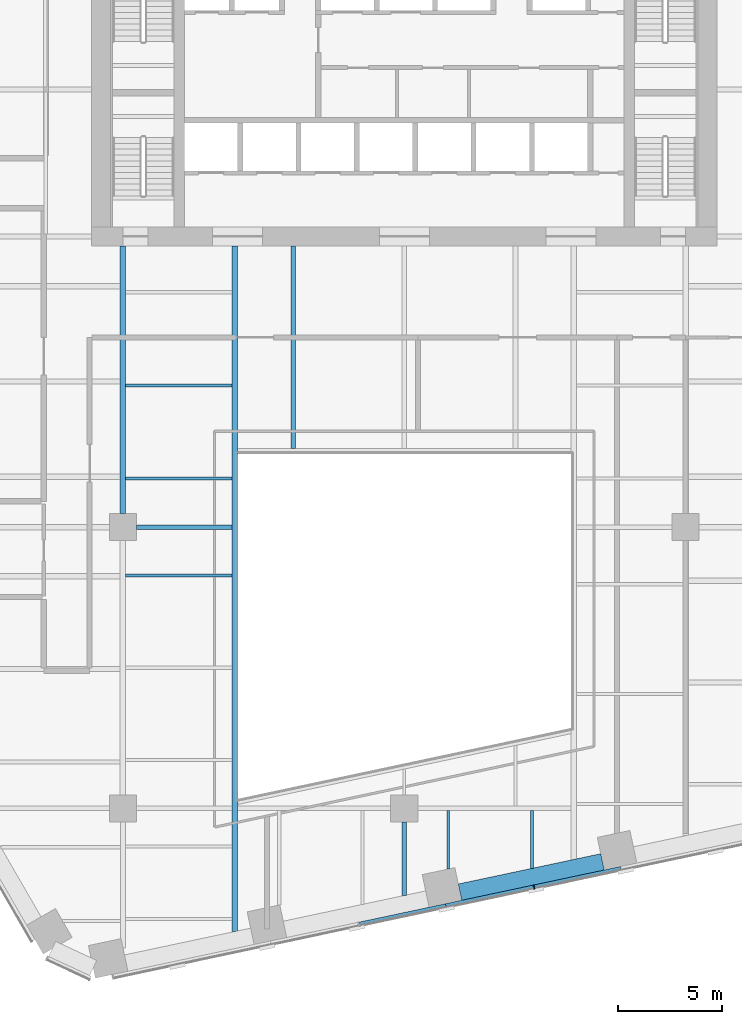
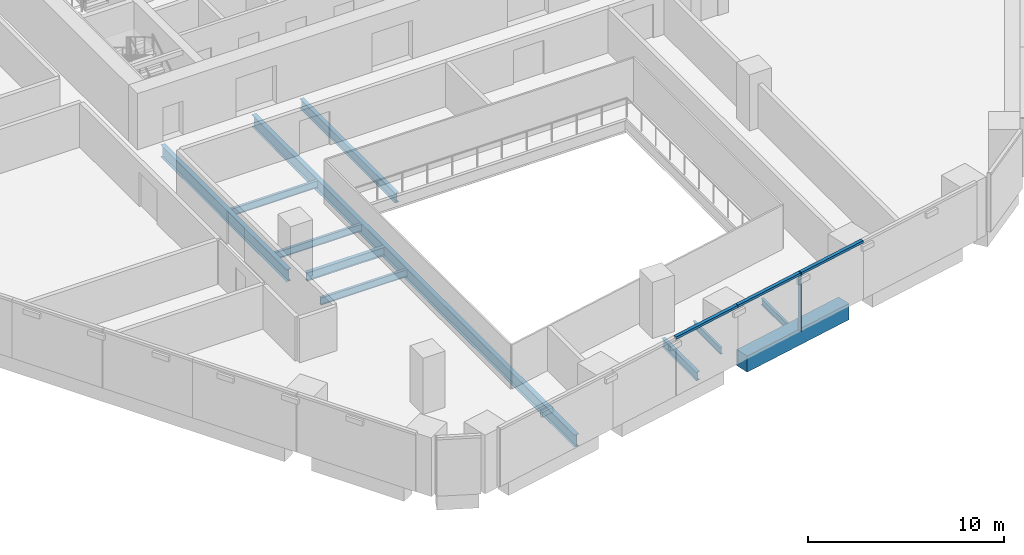
# One storey, part 4 of 21: 11 beams, 4 members, 1 element without a shape of its own.
"""IFC4 building model written with IfcOpenShell, lengths in metres."""

from ifc_helpers import new_model, si_unit, direction, frame, origin, origin_2d, place, context, subcontext, project, spatial, rectangle, i_section, extrude, material, layer, layer_set, material_profile, profile_set, type_object, element, aggregate, save


model = new_model("IFC4")

# Units and contexts
model_context = context("Model", 3, precision=1e-05, world=origin(), true_north=direction((0.0, 1.0)))
body_context = subcontext(model_context, "Body", "Model", "MODEL_VIEW")
ifc_project = project(units=[si_unit("LENGTHUNIT", "METRE"), si_unit("AREAUNIT", "SQUARE_METRE"), si_unit("VOLUMEUNIT", "CUBIC_METRE"), si_unit("PLANEANGLEUNIT", "RADIAN"), si_unit("MASSUNIT", "GRAM", prefix="KILO")], contexts=[model_context])

# Site, building, storey
site_placement = place(None, origin())
site = spatial("IfcSite", under=ifc_project, at=site_placement, CompositionType="ELEMENT")
building_placement = place(site_placement, origin())
building = spatial("IfcBuilding", under=site, at=building_placement, Name="Isthmus Gate Tower", CompositionType="ELEMENT")
storey_placement = place(building_placement, frame((0.0, 0.0, 109.85009765625)))
storey = spatial("IfcBuildingStorey", under=building, at=storey_placement, Name="L26", CompositionType="ELEMENT", Elevation=109.85009765625)

# Curtain wall, members
ifc_material_1 = material(Name="Aluminium, pale champagne anodised", Category="aluminium")
ifc_layer = layer(ifc_material_1, 0.199951171875)
ifc_layer_set = layer_set([ifc_layer], Name="CW-1 UNITISED CURTAIN WALL 200 DEEP")
curtain_wall_type = type_object("IfcCurtainWallType", Name="CW-1 UNITISED CURTAIN WALL 200 DEEP", PredefinedType="NOTDEFINED", material=ifc_layer_set)
curtain_wall_placement = place(storey_placement, origin())
curtain_wall = element("IfcCurtainWall", 1, at=curtain_wall_placement, inside=storey, type_object=curtain_wall_type, Name="CW-1 S L26", PredefinedType="NOTDEFINED")
ifc_material_2 = material(Name="Aluminium, pale champagne anodised", Category="aluminium")
ifc_material_profile_1 = material_profile(ifc_material_2, rectangle(XDim=0.06005859375, YDim=0.199951171875, at=origin_2d()), Name="60x200")
ifc_profile_set_1 = profile_set([ifc_material_profile_1], Name="Aluminium, pale champagne anodised")
member_type_1 = type_object("IfcMemberType", Name="CW-1 MULLION 60 X 200", PredefinedType="MULLION", material=ifc_profile_set_1)
member_1_placement = place(storey_placement, frame((6.228759765625, -30.7783203125, 0.0), z_axis=(0.0, 0.0, 1.0), x_axis=(0.978147600734, 0.207911690818, 0.0)))
member_1 = element("IfcMember", 2, at=member_1_placement, type_object=member_type_1, Name="CW-1 mullion", PredefinedType="MULLION", context=body_context, shape_type="SweptSolid", body=[
    extrude(rectangle(XDim=0.06005859375, YDim=0.199951171875, at=origin_2d()), origin(), (0.0, 0.0, 1.0), 3.64990234375),
])
ifc_material_3 = material(Name="Aluminium, pale champagne anodised", Category="aluminium")
ifc_material_profile_2 = material_profile(ifc_material_3, rectangle(XDim=0.199951171875, YDim=0.14990234375, at=origin_2d()), Name="200x150")
ifc_profile_set_2 = profile_set([ifc_material_profile_2], Name="Aluminium, pale champagne anodised")
member_type_2 = type_object("IfcMemberType", Name="CW-1 TRANSOM 200 X 150", PredefinedType="USERDEFINED", material=ifc_profile_set_2)
member_2_placement = place(storey_placement, frame((-2.1435546875, -32.557861328125, 3.574951171875), z_axis=(0.978150351608, 0.20789874855, 0.0), x_axis=(-0.20789874855, 0.978150351608, 0.0)))
member_2 = element("IfcMember", 3, at=member_2_placement, type_object=member_type_2, Name="CW-1 transom", ObjectType="TRANSOM", PredefinedType="USERDEFINED", context=body_context, shape_type="SweptSolid", body=[
    extrude(rectangle(XDim=0.199951171875, YDim=0.14990234375, at=origin_2d()), origin(), (0.0, 0.0, 1.0), 4.234619140625),
])
member_3_placement = place(storey_placement, frame((1.99853515625, -31.677490234375, 3.574951171875), z_axis=(0.97813890815, 0.207952582007, 0.0), x_axis=(-0.207952582007, 0.97813890815, 0.0)))
member_3 = element("IfcMember", 4, at=member_3_placement, type_object=member_type_2, Name="CW-1 transom", ObjectType="TRANSOM", PredefinedType="USERDEFINED", context=body_context, shape_type="SweptSolid", body=[
    extrude(rectangle(XDim=0.199951171875, YDim=0.14990234375, at=origin_2d()), origin(), (0.0, 0.0, 1.0), 4.294677734375),
])
member_4_placement = place(storey_placement, frame((6.258056640625, -30.77197265625, 3.574951171875), z_axis=(0.978150351608, 0.20789874855, 0.0), x_axis=(-0.20789874855, 0.978150351608, 0.0)))
member_4 = element("IfcMember", 5, at=member_4_placement, type_object=member_type_2, Name="CW-1 transom", ObjectType="TRANSOM", PredefinedType="USERDEFINED", context=body_context, shape_type="SweptSolid", body=[
    extrude(rectangle(XDim=0.199951171875, YDim=0.14990234375, at=origin_2d()), origin(), (0.0, 0.0, 1.0), 4.234619140625),
])
aggregate(curtain_wall, [member_2, member_3, member_1, member_4])

# Beams
ifc_material_4 = material(Name="Concrete f'c 70 MPa", Category="concrete")
ifc_material_profile_3 = material_profile(ifc_material_4, rectangle(XDim=0.800048828125, YDim=1.0, at=origin_2d()), Name="RC 800X1000")
ifc_profile_set_3 = profile_set([ifc_material_profile_3], Name="Concrete f'c 70 MPa")
beam_type_1 = type_object("IfcBeamType", Name="RC SPANDREL 800 X 1000", PredefinedType="SPANDREL", material=ifc_profile_set_3)
beam_1_placement = place(storey_placement, frame((9.513671875, -29.56884765625, -0.5), z_axis=(-0.978149173437, -0.207904291694, 0.0), x_axis=(0.207904291694, -0.978149173437, 0.0)))
element("IfcBeam", 6, at=beam_1_placement, inside=storey, type_object=beam_type_1, Name="str-spandrel-L26-11", PredefinedType="SPANDREL", context=body_context, shape_type="SweptSolid", body=[
    extrude(rectangle(XDim=0.800048828125, YDim=1.0, at=origin_2d()), origin(), (0.0, 0.0, 1.0), 6.989501953125),
])
ifc_material_5 = material(Name="Structural steel ASTM A992 Gr 50", Category="steel")
ifc_material_profile_4 = material_profile(ifc_material_5, i_section(OverallWidth=0.1396484375, OverallDepth=0.4033203125, WebThickness=0.00634765625, FlangeThickness=0.010986328125, at=origin_2d()), Name="W16X31")
ifc_profile_set_4 = profile_set([ifc_material_profile_4], Name="Structural steel ASTM A992 Gr 50")
beam_type_2 = type_object("IfcBeamType", Name="STEEL FLOOR BEAM W16X31", PredefinedType="JOIST", material=ifc_profile_set_4)
beam_2_placement = place(storey_placement, frame((2.111572265625, -29.91552734375, -0.351806640625), z_axis=(0.0, 1.0, 0.0), x_axis=(-1.0, 0.0, 0.0)))
element("IfcBeam", 7, at=beam_2_placement, inside=storey, type_object=beam_type_2, Name="str-beam-L26-19-00", PredefinedType="JOIST", context=body_context, shape_type="SweptSolid", body=[
    extrude(i_section(OverallWidth=0.1396484375, OverallDepth=0.4033203125, WebThickness=0.00634765625, FlangeThickness=0.010986328125, at=origin_2d()), origin(), (0.0, 0.0, 1.0), 2.80126953125),
])
beam_3_placement = place(storey_placement, frame((6.125, -29.880126953125, -0.351806640625), z_axis=(0.0, 1.0, 0.0), x_axis=(-1.0, 0.0, 0.0)))
element("IfcBeam", 8, at=beam_3_placement, inside=storey, type_object=beam_type_2, Name="str-beam-L26-19-01", PredefinedType="JOIST", context=body_context, shape_type="SweptSolid", body=[
    extrude(i_section(OverallWidth=0.1396484375, OverallDepth=0.4033203125, WebThickness=0.00634765625, FlangeThickness=0.010986328125, at=origin_2d()), origin(), (0.0, 0.0, 1.0), 2.765869140625),
])
ifc_material_6 = material(Name="Structural steel ASTM A992 Gr 50", Category="steel")
ifc_material_profile_5 = material_profile(ifc_material_6, i_section(OverallWidth=0.15234375, OverallDepth=0.45068359375, WebThickness=0.0078125, FlangeThickness=0.010986328125, at=origin_2d()), Name="W18X35")
ifc_profile_set_5 = profile_set([ifc_material_profile_5], Name="Structural steel ASTM A992 Gr 50")
beam_type_3 = type_object("IfcBeamType", Name="STEEL FLOOR BEAM W18X35", PredefinedType="JOIST", material=ifc_profile_set_5)
for number, where, z_axis, x_axis, name in (
    (9, (-13.3681640625, -11.16259765625, -0.37548828125), (1.0, 0.0, 0.0), (0.0, 1.0, 0.0), "str-beam-L26-12-00"),
    (10, (-13.3681640625, -6.697509765625, -0.37548828125), (1.0, 0.0, 0.0), (0.0, 1.0, 0.0), "str-beam-L26-12-01"),
    (11, (-13.3681640625, -15.81982421875, -0.37548828125), (1.0, 0.0, 0.0), (0.0, 1.0, 0.0), "str-beam-L26-13-02"),
):
    element("IfcBeam", number, at=place(storey_placement, frame(where, z_axis=z_axis, x_axis=x_axis)), inside=storey, type_object=beam_type_3, Name=name, PredefinedType="JOIST", context=body_context, shape_type="SweptSolid", body=[
        extrude(i_section(OverallWidth=0.15234375, OverallDepth=0.45068359375, WebThickness=0.0078125, FlangeThickness=0.010986328125, at=origin_2d()), origin(), (0.0, 0.0, 1.0), 5.1015625),
    ])
ifc_material_7 = material(Name="Structural steel ASTM A992 Gr 50", Category="steel")
ifc_material_profile_6 = material_profile(ifc_material_7, i_section(OverallWidth=0.228515625, OverallDepth=0.603271484375, WebThickness=0.010986328125, FlangeThickness=0.014404296875, at=origin_2d()), Name="W24X68")
ifc_profile_set_6 = profile_set([ifc_material_profile_6], Name="Structural steel ASTM A992 Gr 50")
beam_type_4 = type_object("IfcBeamType", Name="STEEL FLOOR BEAM W24X68", PredefinedType="JOIST", material=ifc_profile_set_6)
beam_4_placement = place(storey_placement, frame((-5.333251953125, -9.7333984375, -0.45166015625), z_axis=(0.0, 1.0, 0.0), x_axis=(-1.0, 0.0, 0.0)))
element("IfcBeam", 12, at=beam_4_placement, inside=storey, type_object=beam_type_4, Name="str-beam-L26-17-00", PredefinedType="JOIST", context=body_context, shape_type="SweptSolid", body=[
    extrude(i_section(OverallWidth=0.228515625, OverallDepth=0.603271484375, WebThickness=0.010986328125, FlangeThickness=0.014404296875, at=origin_2d()), origin(), (0.0, 0.0, 1.0), 9.7333984375),
])
ifc_material_8 = material(Name="Structural steel ASTM A992 Gr 50", Category="steel")
ifc_material_profile_7 = material_profile(ifc_material_8, i_section(OverallWidth=0.20947265625, OverallDepth=0.533447265625, WebThickness=0.009521484375, FlangeThickness=0.015869140625, at=origin_2d()), Name="W21X62")
ifc_profile_set_7 = profile_set([ifc_material_profile_7], Name="Structural steel ASTM A992 Gr 50")
beam_type_5 = type_object("IfcBeamType", Name="STEEL GIRDER W21X62", PredefinedType="BEAM", material=ifc_profile_set_7)
beam_5_placement = place(storey_placement, frame((-12.85009765625, -13.5, -0.416748046875), z_axis=(1.0, 0.0, 0.0), x_axis=(0.0, 1.0, 0.0)))
element("IfcBeam", 13, at=beam_5_placement, inside=storey, type_object=beam_type_5, Name="str-girder-L26-06", PredefinedType="BEAM", context=body_context, shape_type="SweptSolid", body=[
    extrude(i_section(OverallWidth=0.20947265625, OverallDepth=0.533447265625, WebThickness=0.009521484375, FlangeThickness=0.015869140625, at=origin_2d()), origin(), (0.0, 0.0, 1.0), 4.58349609375),
])
beam_6_placement = place(storey_placement, frame((0.0, -31.18212890625, -0.416748046875), z_axis=(0.0, 1.0, 0.0), x_axis=(-1.0, 0.0, 0.0)))
element("IfcBeam", 14, at=beam_6_placement, inside=storey, type_object=beam_type_5, Name="str-girder-L26-29", PredefinedType="BEAM", context=body_context, shape_type="SweptSolid", body=[
    extrude(i_section(OverallWidth=0.20947265625, OverallDepth=0.533447265625, WebThickness=0.009521484375, FlangeThickness=0.015869140625, at=origin_2d()), origin(), (0.0, 0.0, 1.0), 3.5322265625),
])
ifc_material_9 = material(Name="Structural steel ASTM A992 Gr 50", Category="steel")
ifc_material_profile_8 = material_profile(ifc_material_9, i_section(OverallWidth=0.263427734375, OverallDepth=0.749267578125, WebThickness=0.0126953125, FlangeThickness=0.015869140625, at=origin_2d()), Name="W30X90")
ifc_profile_set_8 = profile_set([ifc_material_profile_8], Name="Structural steel ASTM A992 Gr 50")
beam_type_6 = type_object("IfcBeamType", Name="STEEL GIRDER W30X90", PredefinedType="BEAM", material=ifc_profile_set_8)
beam_7_placement = place(storey_placement, frame((-13.5, -12.85009765625, -0.524658203125), z_axis=(0.0, 1.0, 0.0), x_axis=(-1.0, 0.0, 0.0)))
element("IfcBeam", 15, at=beam_7_placement, inside=storey, type_object=beam_type_6, Name="str-girder-L26-26", PredefinedType="BEAM", context=body_context, shape_type="SweptSolid", body=[
    extrude(i_section(OverallWidth=0.263427734375, OverallDepth=0.749267578125, WebThickness=0.0126953125, FlangeThickness=0.015869140625, at=origin_2d()), origin(), (0.0, 0.0, 1.0), 12.85009765625),
])
ifc_material_10 = material(Name="Structural steel ASTM A992 Gr 50", Category="steel")
ifc_material_profile_9 = material_profile(ifc_material_10, i_section(OverallWidth=0.2666015625, OverallDepth=0.7587890625, WebThickness=0.014404296875, FlangeThickness=0.01904296875, at=origin_2d()), Name="W30X108")
ifc_profile_set_9 = profile_set([ifc_material_profile_9], Name="Structural steel ASTM A992 Gr 50")
beam_type_7 = type_object("IfcBeamType", Name="STEEL TRIMMER W30X108", PredefinedType="BEAM", material=ifc_profile_set_9)
beam_8_placement = place(storey_placement, frame((-8.13330078125, 0.0, -0.529541015625), z_axis=(0.0, -1.0, 0.0), x_axis=(1.0, 0.0, 0.0)))
element("IfcBeam", 16, at=beam_8_placement, inside=storey, type_object=beam_type_7, Name="str-trimmer-L26-02", PredefinedType="BEAM", context=body_context, shape_type="SweptSolid", body=[
    extrude(i_section(OverallWidth=0.2666015625, OverallDepth=0.7587890625, WebThickness=0.014404296875, FlangeThickness=0.01904296875, at=origin_2d()), origin(), (0.0, 0.0, 1.0), 32.910888671875),
])

save(model, "model.ifc")
